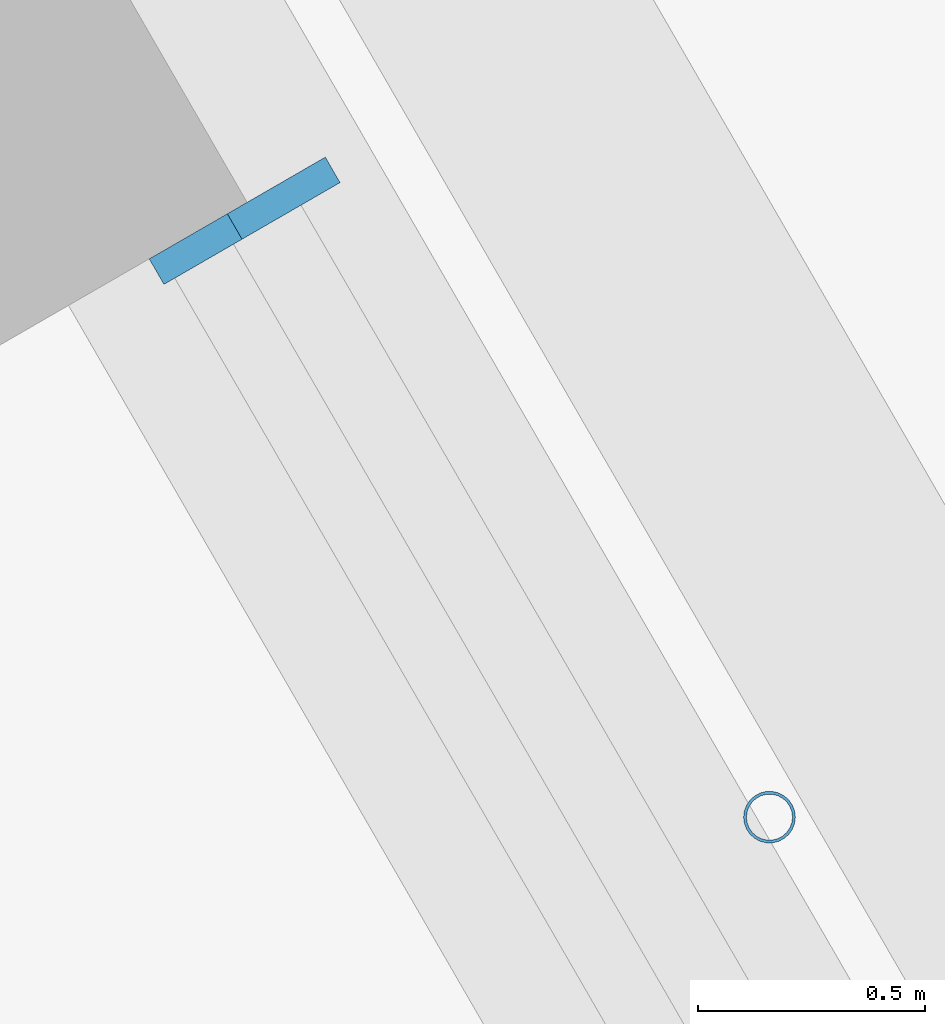
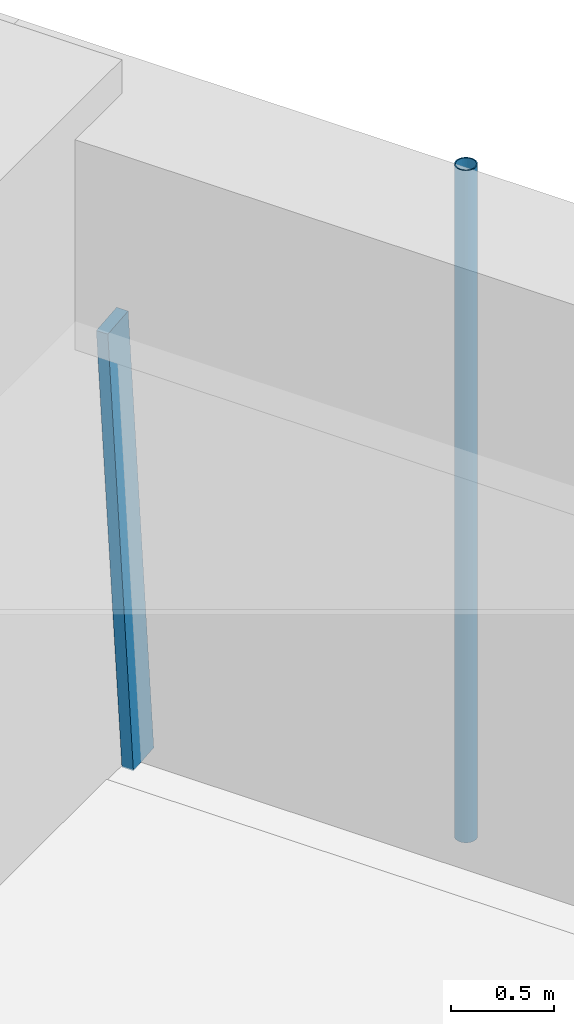
# One storey, part 15 of 24: 2 members, 1 element without a shape of its own.
"""IFC4 building model written with IfcOpenShell, lengths in metres."""

from ifc_helpers import new_model, si_unit, direction, frame, origin, origin_2d, place, context, subcontext, project, spatial, rectangle, hollow_circle, extrude, material, material_profile, profile_set, type_object, element, aggregate, save


model = new_model("IFC4")

# Units and contexts
model_context = context("Model", 3, precision=1e-05, world=origin(), true_north=direction((0.0, 1.0)))
body_context = subcontext(model_context, "Body", "Model", "MODEL_VIEW")
ifc_project = project(units=[si_unit("LENGTHUNIT", "METRE"), si_unit("AREAUNIT", "SQUARE_METRE"), si_unit("VOLUMEUNIT", "CUBIC_METRE"), si_unit("PLANEANGLEUNIT", "RADIAN"), si_unit("MASSUNIT", "GRAM", prefix="KILO")], contexts=[model_context])

# Site, building, storey
site_placement = place(None, origin())
site = spatial("IfcSite", under=ifc_project, at=site_placement, CompositionType="ELEMENT")
building_placement = place(site_placement, origin())
building = spatial("IfcBuilding", under=site, at=building_placement, Name="Tarfa Lantern Tower", CompositionType="ELEMENT")
storey_placement = place(building_placement, frame((0.0, 0.0, 190.89990234375)))
storey = spatial("IfcBuildingStorey", under=building, at=storey_placement, Name="L43", CompositionType="ELEMENT", Elevation=190.89990234375)

# Curtain wall, member
ifc_material_1 = material(Name="Aluminium framed curtain wall", Category="aluminium")
curtain_wall_type = type_object("IfcCurtainWallType", Name="CW2 CANTED GLAZING MID ZONE 2750", PredefinedType="USERDEFINED", material=ifc_material_1)
curtain_wall_placement = place(storey_placement, origin())
curtain_wall = element("IfcCurtainWall", 1, at=curtain_wall_placement, inside=storey, type_object=curtain_wall_type, Name="CW2 NE L43", ObjectType="CURTAIN WALL", PredefinedType="USERDEFINED")
ifc_material_2 = material(Name="Aluminium mullion", Category="aluminium")
ifc_material_profile_1 = material_profile(ifc_material_2, rectangle(XDim=0.06494140625, YDim=0.199951171875, at=origin_2d()), Name="AL MULLION 65x200")
ifc_profile_set_1 = profile_set([ifc_material_profile_1], Name="Aluminium mullion")
member_type_1 = type_object("IfcMemberType", Name="CWM1 MULLION 65x200", PredefinedType="MULLION", material=ifc_profile_set_1)
member_1_placement = place(storey_placement, frame((30.086181640625, 10.68896484375, 0.0), z_axis=(-0.078335079308, -0.045268127094, 0.995898796073), x_axis=(0.500342721131, -0.865827443207, 0.0)))
member_1 = element("IfcMember", 2, at=member_1_placement, type_object=member_type_1, Name="CW2 mullion 2", PredefinedType="MULLION", context=body_context, shape_type="SweptSolid", body=[
    extrude(rectangle(XDim=0.06494140625, YDim=0.199951171875, at=origin_2d()), origin(), (0.0, 0.0, 1.0), 2.76123046875),
])
aggregate(curtain_wall, [member_1])

# Member
ifc_material_3 = material(Name="Steel S355", Category="steel")
ifc_material_profile_2 = material_profile(ifc_material_3, hollow_circle(Radius=0.05712890625, WallThickness=0.00634765625, at=origin_2d()), Name="CHS114.3x6.3")
ifc_profile_set_2 = profile_set([ifc_material_profile_2], Name="Steel S355")
member_type_2 = type_object("IfcMemberType", Name="TR1 GREEN WALL TRELLIS CHS114.3x6.3", PredefinedType="USERDEFINED", material=ifc_profile_set_2)
member_2_placement = place(storey_placement, frame((31.136474609375, 9.31005859375, 0.0), z_axis=(0.0, 0.0, 1.0), x_axis=(1.0, 0.0, 0.0)))
element("IfcMember", 3, at=member_2_placement, inside=storey, type_object=member_type_2, Name="Trellis post NE 1", ObjectType="TRELLIS", PredefinedType="USERDEFINED", context=body_context, shape_type="SweptSolid", body=[
    extrude(hollow_circle(Radius=0.05712890625, WallThickness=0.00634765625, at=origin_2d()), origin(), (0.0, 0.0, 1.0), 4.0),
])

save(model, "model.ifc")
